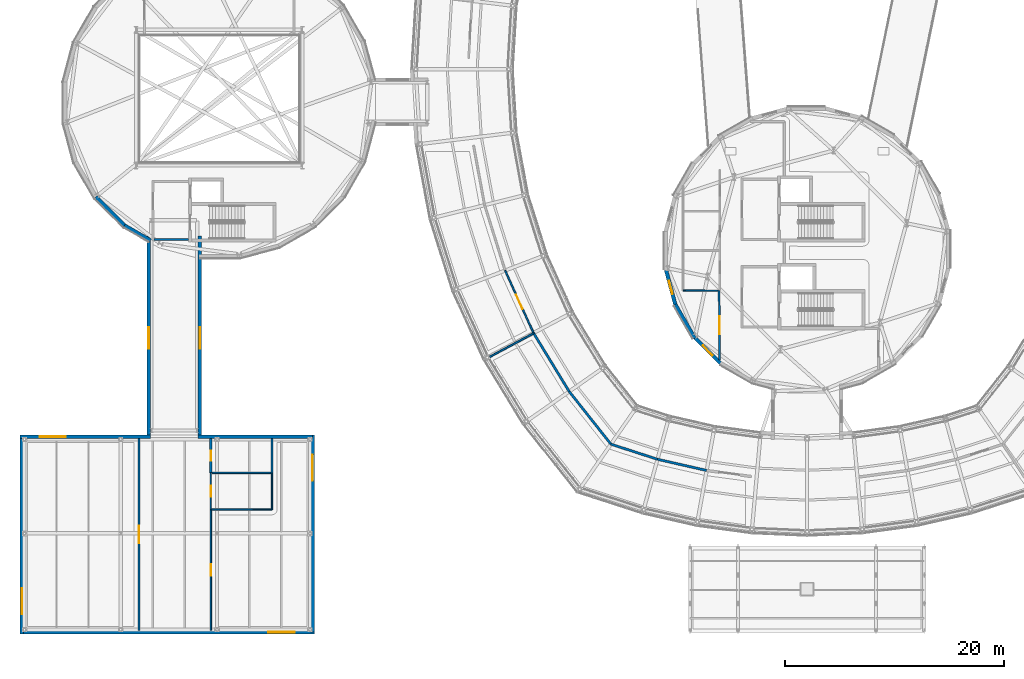
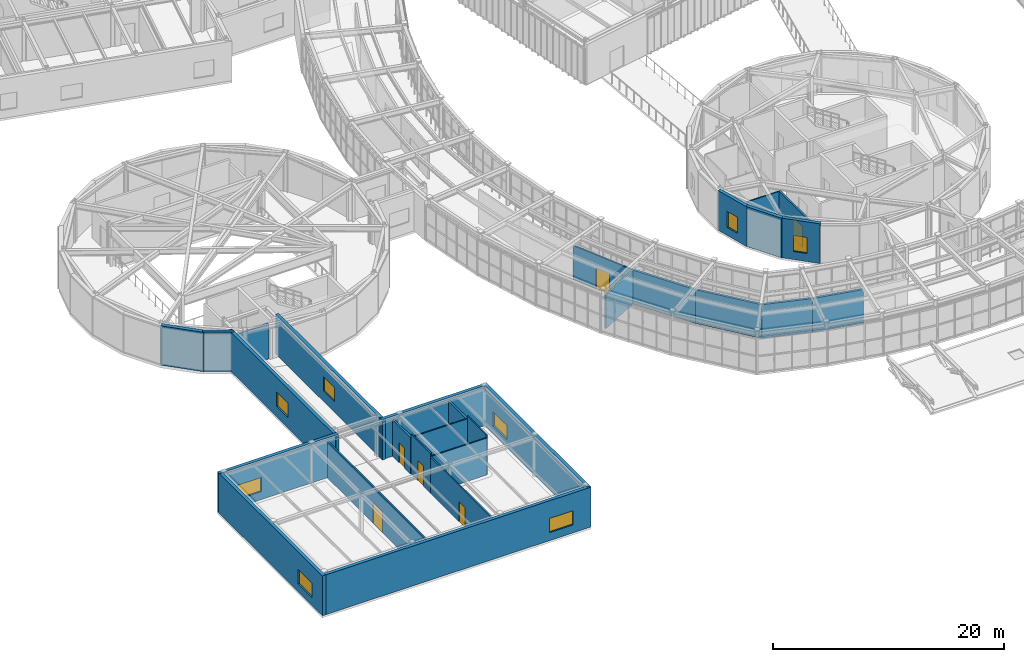
# One storey, part 74 of 103: 29 walls, 8 windows, 6 doors, 14 openings.
"""IFC4 building model written with IfcOpenShell, lengths in metres."""

from ifc_helpers import new_model, si_unit, direction, frame, frame_2d, origin, place, context, subcontext, project, spatial, rectangle, extrude, material, layer, layer_set, type_object, element, fill, save


model = new_model("IFC4")

# Units and contexts
model_context = context("Model", 3, precision=1e-05, world=origin(), true_north=direction((0.0, 1.0)))
body_context = subcontext(model_context, "Body", "Model", "MODEL_VIEW")
ifc_project = project(units=[si_unit("LENGTHUNIT", "METRE"), si_unit("AREAUNIT", "SQUARE_METRE"), si_unit("VOLUMEUNIT", "CUBIC_METRE"), si_unit("PLANEANGLEUNIT", "RADIAN"), si_unit("MASSUNIT", "GRAM", prefix="KILO")], contexts=[model_context])

# Site, building, storey
site_placement = place(None, origin())
site = spatial("IfcSite", under=ifc_project, at=site_placement, CompositionType="ELEMENT")
building_placement = place(site_placement, origin())
building = spatial("IfcBuilding", under=site, at=building_placement, Name="Varnklinge Art Gallery", CompositionType="ELEMENT")
storey_placement = place(building_placement, frame((0.0, 0.0, 5.10009765625)))
storey = spatial("IfcBuildingStorey", under=building, at=storey_placement, Name="L01", CompositionType="ELEMENT", Elevation=5.10009765625)

# Wall, opening, window
ifc_material_1 = material(Name="Precast concrete C40/50", Category="concrete")
ifc_layer_1 = layer(ifc_material_1, 0.320068359375)
ifc_layer_set_1 = layer_set([ifc_layer_1], Name="Precast concrete C40/50")
wall_type_1 = type_object("IfcWallType", Name="EW-32", PredefinedType="SOLIDWALL", material=ifc_layer_set_1)
wall_1_placement = place(storey_placement, frame((15.360107421875, 21.179931640625, 0.0), z_axis=(0.0, 0.0, 1.0), x_axis=(0.0, 1.0, 0.0)))
wall_1 = element("IfcWall", 1, at=wall_1_placement, inside=storey, type_object=wall_type_1, Name="L01 Gallery Link Wall EW-LNK-SW-L01-W", PredefinedType="SOLIDWALL", context=body_context, shape_type="SweptSolid", body=[
    extrude(rectangle(XDim=18.565185546875, YDim=0.320068359375, at=frame_2d((9.28271484375, 0.0))), origin(), (0.0, 0.0, 1.0), 4.169921875),
])
opening_1_placement = place(wall_1_placement, frame((8.3076171875, 0.0, 1.1201171875)))
opening_1 = element("IfcOpeningElement", 2, at=opening_1_placement, cuts=wall_1, Name="Opening WN-05", PredefinedType="OPENING", context=body_context, shape_type="SweptSolid", body=[
    extrude(rectangle(XDim=1.949951171875, YDim=1.5, at=frame_2d((0.97509765625, 0.75))), frame((0.0, 0.170166015625, 0.0), z_axis=(0.0, -1.0, 0.0), x_axis=(1.0, 0.0, 0.0)), (0.0, 0.0, 1.0), 0.340087890625),
])
ifc_material_2 = material(Name="Insulated Low-E Triple Glazing", Category="glass")
window_type_1 = type_object("IfcWindowType", Name="WN-05", PartitioningType="SINGLE_PANEL", PredefinedType="WINDOW", material=ifc_material_2)
window_1_placement = place(opening_1_placement, origin())
window_1 = element("IfcWindow", 3, at=window_1_placement, inside=storey, type_object=window_type_1, Name="L01 Window WIN-L01-239", OverallHeight=1.5, OverallWidth=1.949951171875, PartitioningType="SINGLE_PANEL", PredefinedType="WINDOW", context=body_context, shape_type="SweptSolid", body=[
    extrude(rectangle(XDim=1.949951171875, YDim=1.5, at=frame_2d((0.97509765625, 0.75))), frame((0.0, 0.030029296875, 0.0), z_axis=(0.0, -1.0, 0.0), x_axis=(1.0, 0.0, 0.0)), (0.0, 0.0, 1.0), 0.06005859375),
])
fill(opening_1, window_1)

wall_2_placement = place(storey_placement, frame((20.0400390625, 39.7451171875, 0.0), z_axis=(0.0, 0.0, 1.0), x_axis=(0.0, -1.0, 0.0)))
wall_2 = element("IfcWall", 4, at=wall_2_placement, inside=storey, type_object=wall_type_1, Name="L01 Gallery Link Wall EW-LNK-SW-L01-E", PredefinedType="SOLIDWALL", context=body_context, shape_type="SweptSolid", body=[
    extrude(rectangle(XDim=18.565185546875, YDim=0.320068359375, at=frame_2d((9.28271484375, 0.0))), origin(), (0.0, 0.0, 1.0), 4.169921875),
])
opening_2_placement = place(wall_2_placement, frame((8.3076171875, 0.0, 1.1201171875)))
opening_2 = element("IfcOpeningElement", 5, at=opening_2_placement, cuts=wall_2, Name="Opening WN-05", PredefinedType="OPENING", context=body_context, shape_type="SweptSolid", body=[
    extrude(rectangle(XDim=1.949951171875, YDim=1.5, at=frame_2d((0.97509765625, 0.75))), frame((0.0, 0.170166015625, 0.0), z_axis=(0.0, -1.0, 0.0), x_axis=(1.0, 0.0, 0.0)), (0.0, 0.0, 1.0), 0.340087890625),
])
window_2_placement = place(opening_2_placement, origin())
window_2 = element("IfcWindow", 6, at=window_2_placement, inside=storey, type_object=window_type_1, Name="L01 Window WIN-L01-240", OverallHeight=1.5, OverallWidth=1.949951171875, PartitioningType="SINGLE_PANEL", PredefinedType="WINDOW", context=body_context, shape_type="SweptSolid", body=[
    extrude(rectangle(XDim=1.949951171875, YDim=1.5, at=frame_2d((0.97509765625, 0.75))), frame((0.0, 0.030029296875, 0.0), z_axis=(0.0, -1.0, 0.0), x_axis=(1.0, 0.0, 0.0)), (0.0, 0.0, 1.0), 0.06005859375),
])
fill(opening_2, window_2)

ifc_material_3 = material(Name="Precast concrete C40/50", Category="concrete")
ifc_layer_2 = layer(ifc_material_3, 0.340087890625)
ifc_layer_set_2 = layer_set([ifc_layer_2], Name="Precast concrete C40/50")
wall_type_2 = type_object("IfcWallType", Name="EW-34", PredefinedType="SOLIDWALL", material=ifc_layer_set_2)
wall_3_placement = place(storey_placement, frame((67.68896484375, 28.04345703125, 0.0), z_axis=(0.0, 0.0, 1.0), x_axis=(-0.707106781187, 0.707106781187, 0.0)))
wall_3 = element("IfcWall", 7, at=wall_3_placement, inside=storey, type_object=wall_type_2, Name="L01 Exterior Wall EW-V4D-L01-09", PredefinedType="SOLIDWALL", context=body_context, shape_type="SweptSolid", body=[
    extrude(rectangle(XDim=3.571044921875, YDim=0.340087890625, at=frame_2d((1.78564453125, 0.0))), origin(), (0.0, 0.0, 1.0), 4.199951171875),
])
opening_3_placement = place(wall_3_placement, frame((1.16064453125, 0.0, 0.85009765625)))
opening_3 = element("IfcOpeningElement", 8, at=opening_3_placement, cuts=wall_3, Name="Opening WN-09", PredefinedType="OPENING", context=body_context, shape_type="SweptSolid", body=[
    extrude(rectangle(XDim=1.25, YDim=1.699951171875, at=frame_2d((0.625, 0.85009765625))), frame((0.0, 0.179931640625, 0.0), z_axis=(0.0, -1.0, 0.0), x_axis=(1.0, 0.0, 0.0)), (0.0, 0.0, 1.0), 0.360107421875),
])
ifc_material_4 = material(Name="Insulated Low-E Triple Glazing", Category="glass")
window_type_2 = type_object("IfcWindowType", Name="WN-09", PartitioningType="SINGLE_PANEL", PredefinedType="WINDOW", material=ifc_material_4)
window_3_placement = place(opening_3_placement, origin())
window_3 = element("IfcWindow", 9, at=window_3_placement, inside=storey, type_object=window_type_2, Name="L01 Window WIN-L01-078", OverallHeight=1.699951171875, OverallWidth=1.25, PartitioningType="SINGLE_PANEL", PredefinedType="WINDOW", context=body_context, shape_type="SweptSolid", body=[
    extrude(rectangle(XDim=1.25, YDim=1.699951171875, at=frame_2d((0.625, 0.85009765625))), frame((0.0, 0.030029296875, 0.0), z_axis=(0.0, -1.0, 0.0), x_axis=(1.0, 0.0, 0.0)), (0.0, 0.0, 1.0), 0.06005859375),
])
fill(opening_3, window_3)

# Wall
wall_4_placement = place(storey_placement, frame((65.248779296875, 30.42138671875, 0.0), z_axis=(0.0, 0.0, 1.0), x_axis=(-0.500006500783, 0.866021650523, 0.0)))
element("IfcWall", 10, at=wall_4_placement, inside=storey, type_object=wall_type_2, Name="L01 Exterior Wall EW-V4D-L01-10", PredefinedType="SOLIDWALL", context=body_context, shape_type="SweptSolid", body=[
    extrude(rectangle(XDim=3.5712890625, YDim=0.340087890625, at=frame_2d((1.78564453125, 0.0))), origin(), (0.0, 0.0, 1.0), 4.199951171875),
])

# Wall, opening, window
wall_5_placement = place(storey_placement, frame((63.507080078125, 33.35009765625, 0.0), z_axis=(0.0, 0.0, 1.0), x_axis=(-0.258764562387, 0.965940423242, 0.0)))
wall_5 = element("IfcWall", 11, at=wall_5_placement, inside=storey, type_object=wall_type_2, Name="L01 Exterior Wall EW-V4D-L01-11", PredefinedType="SOLIDWALL", context=body_context, shape_type="SweptSolid", body=[
    extrude(rectangle(XDim=3.571044921875, YDim=0.340087890625, at=frame_2d((1.78564453125, 0.0))), origin(), (0.0, 0.0, 1.0), 4.199951171875),
])
opening_4_placement = place(wall_5_placement, frame((1.16064453125, 0.0, 0.85009765625)))
opening_4 = element("IfcOpeningElement", 12, at=opening_4_placement, cuts=wall_5, Name="Opening WN-09", PredefinedType="OPENING", context=body_context, shape_type="SweptSolid", body=[
    extrude(rectangle(XDim=1.25, YDim=1.699951171875, at=frame_2d((0.625, 0.85009765625))), frame((0.0, 0.179931640625, 0.0), z_axis=(0.0, -1.0, 0.0), x_axis=(1.0, 0.0, 0.0)), (0.0, 0.0, 1.0), 0.360107421875),
])
window_4_placement = place(opening_4_placement, origin())
window_4 = element("IfcWindow", 13, at=window_4_placement, inside=storey, type_object=window_type_2, Name="L01 Window WIN-L01-079", OverallHeight=1.699951171875, OverallWidth=1.25, PartitioningType="SINGLE_PANEL", PredefinedType="WINDOW", context=body_context, shape_type="SweptSolid", body=[
    extrude(rectangle(XDim=1.25, YDim=1.699951171875, at=frame_2d((0.625, 0.85009765625))), frame((0.0, 0.030029296875, 0.0), z_axis=(0.0, -1.0, 0.0), x_axis=(1.0, 0.0, 0.0)), (0.0, 0.0, 1.0), 0.06005859375),
])
fill(opening_4, window_4)

wall_6_placement = place(storey_placement, frame((3.77001953125, 3.39990234375, 0.0), z_axis=(0.0, 0.0, 1.0), x_axis=(0.0, 1.0, 0.0)))
wall_6 = element("IfcWall", 14, at=wall_6_placement, inside=storey, type_object=wall_type_2, Name="L01 Exterior Wall EW-V6SW-L01-01", PredefinedType="SOLIDWALL", context=body_context, shape_type="SweptSolid", body=[
    extrude(rectangle(XDim=18.030029296875, YDim=0.340087890625, at=frame_2d((9.01513671875, 0.0))), origin(), (0.0, 0.0, 1.0), 4.219970703125),
])
opening_5_placement = place(wall_6_placement, frame((1.800048828125, 0.0, 0.85009765625)))
opening_5 = element("IfcOpeningElement", 15, at=opening_5_placement, cuts=wall_6, Name="Opening WN-07", PredefinedType="OPENING", context=body_context, shape_type="SweptSolid", body=[
    extrude(rectangle(XDim=2.39990234375, YDim=1.5, at=frame_2d((1.199951171875, 0.75))), frame((0.0, 0.179931640625, 0.0), z_axis=(0.0, -1.0, 0.0), x_axis=(1.0, 0.0, 0.0)), (0.0, 0.0, 1.0), 0.360107421875),
])
ifc_material_5 = material(Name="Insulated Low-E Triple Glazing", Category="glass")
window_type_3 = type_object("IfcWindowType", Name="WN-07", PartitioningType="SINGLE_PANEL", PredefinedType="WINDOW", material=ifc_material_5)
window_5_placement = place(opening_5_placement, origin())
window_5 = element("IfcWindow", 16, at=window_5_placement, inside=storey, type_object=window_type_3, Name="L01 Window WIN-L01-206", OverallHeight=1.5, OverallWidth=2.39990234375, PartitioningType="SINGLE_PANEL", PredefinedType="WINDOW", context=body_context, shape_type="SweptSolid", body=[
    extrude(rectangle(XDim=2.39990234375, YDim=1.5, at=frame_2d((1.199951171875, 0.75))), frame((0.0, 0.030029296875, 0.0), z_axis=(0.0, -1.0, 0.0), x_axis=(1.0, 0.0, 0.0)), (0.0, 0.0, 1.0), 0.06005859375),
])
fill(opening_5, window_5)

wall_7_placement = place(storey_placement, frame((3.60009765625, 21.429931640625, 0.0), z_axis=(0.0, 0.0, 1.0), x_axis=(1.0, 0.0, 0.0)))
wall_7 = element("IfcWall", 17, at=wall_7_placement, inside=storey, type_object=wall_type_2, Name="L01 Exterior Wall EW-V6SW-L01-02", PredefinedType="SOLIDWALL", context=body_context, shape_type="SweptSolid", body=[
    extrude(rectangle(XDim=11.919921875, YDim=0.340087890625, at=frame_2d((5.9599609375, 0.0))), origin(), (0.0, 0.0, 1.0), 4.219970703125),
])
opening_6_placement = place(wall_7_placement, frame((1.800048828125, 0.0, 0.85009765625)))
opening_6 = element("IfcOpeningElement", 18, at=opening_6_placement, cuts=wall_7, Name="Opening WN-07", PredefinedType="OPENING", context=body_context, shape_type="SweptSolid", body=[
    extrude(rectangle(XDim=2.39990234375, YDim=1.5, at=frame_2d((1.199951171875, 0.75))), frame((0.0, 0.179931640625, 0.0), z_axis=(0.0, -1.0, 0.0), x_axis=(1.0, 0.0, 0.0)), (0.0, 0.0, 1.0), 0.360107421875),
])
window_6_placement = place(opening_6_placement, origin())
window_6 = element("IfcWindow", 19, at=window_6_placement, inside=storey, type_object=window_type_3, Name="L01 Window WIN-L01-207", OverallHeight=1.5, OverallWidth=2.39990234375, PartitioningType="SINGLE_PANEL", PredefinedType="WINDOW", context=body_context, shape_type="SweptSolid", body=[
    extrude(rectangle(XDim=2.39990234375, YDim=1.5, at=frame_2d((1.199951171875, 0.75))), frame((0.0, 0.030029296875, 0.0), z_axis=(0.0, -1.0, 0.0), x_axis=(1.0, 0.0, 0.0)), (0.0, 0.0, 1.0), 0.06005859375),
])
fill(opening_6, window_6)

# Wall
wall_8_placement = place(storey_placement, frame((19.8798828125, 21.429931640625, 0.0), z_axis=(0.0, 0.0, 1.0), x_axis=(1.0, 0.0, 0.0)))
element("IfcWall", 20, at=wall_8_placement, inside=storey, type_object=wall_type_2, Name="L01 Exterior Wall EW-V6SW-L01-03", PredefinedType="SOLIDWALL", context=body_context, shape_type="SweptSolid", body=[
    extrude(rectangle(XDim=10.4501953125, YDim=0.340087890625, at=frame_2d((5.22509765625, 0.0))), origin(), (0.0, 0.0, 1.0), 4.219970703125),
])

# Wall, opening, window
wall_9_placement = place(storey_placement, frame((30.330078125, 21.60009765625, 0.0), z_axis=(0.0, 0.0, 1.0), x_axis=(0.0, -1.0, 0.0)))
wall_9 = element("IfcWall", 21, at=wall_9_placement, inside=storey, type_object=wall_type_2, Name="L01 Exterior Wall EW-V6SW-L01-04", PredefinedType="SOLIDWALL", context=body_context, shape_type="SweptSolid", body=[
    extrude(rectangle(XDim=18.030029296875, YDim=0.340087890625, at=frame_2d((9.01513671875, 0.0))), origin(), (0.0, 0.0, 1.0), 4.219970703125),
])
opening_7_placement = place(wall_9_placement, frame((1.800048828125, 0.0, 0.85009765625)))
opening_7 = element("IfcOpeningElement", 22, at=opening_7_placement, cuts=wall_9, Name="Opening WN-07", PredefinedType="OPENING", context=body_context, shape_type="SweptSolid", body=[
    extrude(rectangle(XDim=2.39990234375, YDim=1.5, at=frame_2d((1.199951171875, 0.75))), frame((0.0, 0.179931640625, 0.0), z_axis=(0.0, -1.0, 0.0), x_axis=(1.0, 0.0, 0.0)), (0.0, 0.0, 1.0), 0.360107421875),
])
window_7_placement = place(opening_7_placement, origin())
window_7 = element("IfcWindow", 23, at=window_7_placement, inside=storey, type_object=window_type_3, Name="L01 Window WIN-L01-208", OverallHeight=1.5, OverallWidth=2.39990234375, PartitioningType="SINGLE_PANEL", PredefinedType="WINDOW", context=body_context, shape_type="SweptSolid", body=[
    extrude(rectangle(XDim=2.39990234375, YDim=1.5, at=frame_2d((1.199951171875, 0.75))), frame((0.0, 0.030029296875, 0.0), z_axis=(0.0, -1.0, 0.0), x_axis=(1.0, 0.0, 0.0)), (0.0, 0.0, 1.0), 0.06005859375),
])
fill(opening_7, window_7)

wall_10_placement = place(storey_placement, frame((30.5, 3.570068359375, 0.0), z_axis=(0.0, 0.0, 1.0), x_axis=(-1.0, 0.0, 0.0)))
wall_10 = element("IfcWall", 24, at=wall_10_placement, inside=storey, type_object=wall_type_2, Name="L01 Exterior Wall EW-V6SW-L01-05", PredefinedType="SOLIDWALL", context=body_context, shape_type="SweptSolid", body=[
    extrude(rectangle(XDim=26.72998046875, YDim=0.340087890625, at=frame_2d((13.364990234375, 0.0))), origin(), (0.0, 0.0, 1.0), 4.219970703125),
])
opening_8_placement = place(wall_10_placement, frame((1.800048828125, 0.0, 0.85009765625)))
opening_8 = element("IfcOpeningElement", 25, at=opening_8_placement, cuts=wall_10, Name="Opening WN-07", PredefinedType="OPENING", context=body_context, shape_type="SweptSolid", body=[
    extrude(rectangle(XDim=2.39990234375, YDim=1.5, at=frame_2d((1.199951171875, 0.75))), frame((0.0, 0.179931640625, 0.0), z_axis=(0.0, -1.0, 0.0), x_axis=(1.0, 0.0, 0.0)), (0.0, 0.0, 1.0), 0.360107421875),
])
window_8_placement = place(opening_8_placement, origin())
window_8 = element("IfcWindow", 26, at=window_8_placement, inside=storey, type_object=window_type_3, Name="L01 Window WIN-L01-209", OverallHeight=1.5, OverallWidth=2.39990234375, PartitioningType="SINGLE_PANEL", PredefinedType="WINDOW", context=body_context, shape_type="SweptSolid", body=[
    extrude(rectangle(XDim=2.39990234375, YDim=1.5, at=frame_2d((1.199951171875, 0.75))), frame((0.0, 0.030029296875, 0.0), z_axis=(0.0, -1.0, 0.0), x_axis=(1.0, 0.0, 0.0)), (0.0, 0.0, 1.0), 0.06005859375),
])
fill(opening_8, window_8)

# Walls
ifc_material_6 = material(Name="Concrete C40/50", Category="concrete")
ifc_layer_3 = layer(ifc_material_6, 0.360107421875)
ifc_layer_set_3 = layer_set([ifc_layer_3], Name="Concrete C40/50")
wall_type_3 = type_object("IfcWallType", Name="EW-36", PredefinedType="SOLIDWALL", material=ifc_layer_set_3)
wall_11_placement = place(storey_placement, frame((15.52001953125, 39.34814453125, 0.0), z_axis=(0.0, 0.0, 1.0), x_axis=(-0.866032936488, 0.499986952748, 0.0)))
element("IfcWall", 27, at=wall_11_placement, inside=storey, type_object=wall_type_3, Name="L01 Exterior Wall EW-V3-L01-07", PredefinedType="SOLIDWALL", context=body_context, shape_type="SweptSolid", body=[
    extrude(rectangle(XDim=2.7431640625, YDim=0.360107421875, at=frame_2d((1.37158203125, 0.0))), origin(), (0.0, 0.0, 1.0), 4.169921875),
])
wall_12_placement = place(storey_placement, frame((13.271484375, 40.59228515625, 0.0), z_axis=(0.0, 0.0, 1.0), x_axis=(-0.707075413469, 0.707138147513, 0.0)))
element("IfcWall", 28, at=wall_12_placement, inside=storey, type_object=wall_type_3, Name="L01 Exterior Wall EW-V3-L01-08", PredefinedType="SOLIDWALL", context=body_context, shape_type="SweptSolid", body=[
    extrude(rectangle(XDim=3.8916015625, YDim=0.360107421875, at=frame_2d((1.94580078125, 0.0))), origin(), (0.0, 0.0, 1.0), 4.169921875),
])

# Wall, opening, door
ifc_material_7 = material(Name="Gypsum Board Partition", Category="gypsum")
ifc_layer_4 = layer(ifc_material_7, 0.1201171875)
ifc_layer_set_4 = layer_set([ifc_layer_4], Name="Gypsum Board Partition")
wall_type_4 = type_object("IfcWallType", Name="IW-12", PredefinedType="PARTITIONING", material=ifc_layer_set_4)
wall_13_placement = place(storey_placement, frame((21.030029296875, 18.1298828125, 0.0), z_axis=(0.0, 0.0, 1.0), x_axis=(0.0, -1.0, 0.0)))
wall_13 = element("IfcWall", 29, at=wall_13_placement, inside=storey, type_object=wall_type_4, Name="L01 Partition Wall IW-L01-0235", PredefinedType="PARTITIONING", context=body_context, shape_type="SweptSolid", body=[
    extrude(rectangle(XDim=3.35986328125, YDim=0.1201171875, at=frame_2d((1.679931640625, 0.0))), origin(), (0.0, 0.0, 1.0), 4.2099609375),
])
opening_9_placement = place(wall_13_placement, frame((1.169921875, 0.0, 0.0)))
opening_9 = element("IfcOpeningElement", 30, at=opening_9_placement, cuts=wall_13, Name="Opening D-L01-216", PredefinedType="OPENING", context=body_context, shape_type="SweptSolid", body=[
    extrude(rectangle(XDim=1.02001953125, YDim=2.1201171875, at=frame_2d((0.510009765625, 1.06005859375))), frame((0.0, 0.070068359375, 0.0), z_axis=(0.0, -1.0, 0.0), x_axis=(1.0, 0.0, 0.0)), (0.0, 0.0, 1.0), 0.14013671875),
])
ifc_material_8 = material(Name="Oak Timber Leaf", Category="wood")
door_type_1 = type_object("IfcDoorType", Name="ID-03", OperationType="SINGLE_SWING_LEFT", PredefinedType="DOOR", material=ifc_material_8)
door_1_placement = place(opening_9_placement, origin())
door_1 = element("IfcDoor", 31, at=door_1_placement, inside=storey, type_object=door_type_1, Name="L01 L01 Accessible WC Pavilion Door D-L01-216", OperationType="SINGLE_SWING_RIGHT", OverallHeight=2.1201171875, OverallWidth=1.02001953125, PredefinedType="DOOR", context=body_context, shape_type="SweptSolid", body=[
    extrude(rectangle(XDim=1.02001953125, YDim=2.1201171875, at=frame_2d((0.510009765625, 1.06005859375))), frame((0.0, 0.02490234375, 0.0), z_axis=(0.0, -1.0, 0.0), x_axis=(1.0, 0.0, 0.0)), (0.0, 0.0, 1.0), 0.050048828125),
])
fill(opening_9, door_1)

# Walls
wall_14_placement = place(storey_placement, frame((67.365234375, 34.77001953125, 0.0), z_axis=(0.0, 0.0, 1.0), x_axis=(-0.999994063851, 0.003445615075, 0.0)))
element("IfcWall", 32, at=wall_14_placement, inside=storey, type_object=wall_type_4, Name="L01 Partition Wall IW-L01-0248", PredefinedType="PARTITIONING", context=body_context, shape_type="SweptSolid", body=[
    extrude(rectangle(XDim=3.1884765625, YDim=0.1201171875, at=frame_2d((1.59423828125, 0.0))), origin(), (0.0, 0.0, 1.0), 3.58984375),
])
wall_15_placement = place(storey_placement, frame((21.14501953125, 18.1298828125, 0.0), z_axis=(0.0, 0.0, 1.0), x_axis=(1.0, 0.0, 0.0)))
element("IfcWall", 33, at=wall_15_placement, inside=storey, type_object=wall_type_4, Name="L01 Partition Wall IW-L01-0259", PredefinedType="PARTITIONING", context=body_context, shape_type="SweptSolid", body=[
    extrude(rectangle(XDim=5.455078125, YDim=0.1201171875, at=frame_2d((2.7275390625, 0.0))), origin(), (0.0, 0.0, 1.0), 3.909912109375),
])
wall_16_placement = place(storey_placement, frame((26.6298828125, 18.10009765625, 0.0), z_axis=(0.0, 0.0, 1.0), x_axis=(-0.003965017661, -0.999992139287, 0.0)))
element("IfcWall", 34, at=wall_16_placement, inside=storey, type_object=wall_type_4, Name="L01 Partition Wall IW-L01-0260", PredefinedType="PARTITIONING", context=body_context, shape_type="SweptSolid", body=[
    extrude(rectangle(XDim=3.324951171875, YDim=0.1201171875, at=frame_2d((1.66259765625, 0.0))), origin(), (0.0, 0.0, 1.0), 4.2099609375),
])
wall_17_placement = place(storey_placement, frame((26.61669921875, 14.775146484375, 0.0), z_axis=(0.0, 0.0, 1.0), x_axis=(-0.999999567372, -0.000930190951, 0.0)))
element("IfcWall", 35, at=wall_17_placement, inside=storey, type_object=wall_type_4, Name="L01 Partition Wall IW-L01-0261", PredefinedType="PARTITIONING", context=body_context, shape_type="SweptSolid", body=[
    extrude(rectangle(XDim=5.51171875, YDim=0.1201171875, at=frame_2d((2.755859375, 0.0))), origin(), (0.0, 0.0, 1.0), 3.909912109375),
])

# Wall, opening, door
ifc_material_9 = material(Name="Gypsum Board Partition", Category="gypsum")
ifc_layer_5 = layer(ifc_material_9, 0.139892578125)
ifc_layer_set_5 = layer_set([ifc_layer_5], Name="Gypsum Board Partition")
wall_type_5 = type_object("IfcWallType", Name="IW-14", PredefinedType="PARTITIONING", material=ifc_layer_set_5)
wall_18_placement = place(storey_placement, frame((21.030029296875, 14.77001953125, 0.0), z_axis=(0.0, 0.0, 1.0), x_axis=(0.0, -1.0, 0.0)))
wall_18 = element("IfcWall", 36, at=wall_18_placement, inside=storey, type_object=wall_type_5, Name="L01 Partition Wall IW-L01-0237", PredefinedType="PARTITIONING", context=body_context, shape_type="SweptSolid", body=[
    extrude(rectangle(XDim=11.026123046875, YDim=0.139892578125, at=frame_2d((5.51318359375, 0.0))), origin(), (0.0, 0.0, 1.0), 3.849853515625),
])
opening_10_placement = place(wall_18_placement, frame((4.972900390625, 0.0, 0.0)))
opening_10 = element("IfcOpeningElement", 37, at=opening_10_placement, cuts=wall_18, Name="Opening D-L01-218", PredefinedType="OPENING", context=body_context, shape_type="SweptSolid", body=[
    extrude(rectangle(XDim=1.080078125, YDim=2.1201171875, at=frame_2d((0.5400390625, 1.06005859375))), frame((0.0, 0.079833984375, 0.0), z_axis=(0.0, -1.0, 0.0), x_axis=(1.0, 0.0, 0.0)), (0.0, 0.0, 1.0), 0.159912109375),
])
ifc_material_10 = material(Name="Oak Timber Leaf", Category="wood")
door_type_2 = type_object("IfcDoorType", Name="ID-04", OperationType="SINGLE_SWING_RIGHT", PredefinedType="DOOR", material=ifc_material_10)
door_2_placement = place(opening_10_placement, origin())
door_2 = element("IfcDoor", 38, at=door_2_placement, inside=storey, type_object=door_type_2, Name="L01 L01 Education Seminar Room Door D-L01-218", OperationType="SINGLE_SWING_RIGHT", OverallHeight=2.1201171875, OverallWidth=1.080078125, PredefinedType="DOOR", context=body_context, shape_type="SweptSolid", body=[
    extrude(rectangle(XDim=1.080078125, YDim=2.1201171875, at=frame_2d((0.5400390625, 1.06005859375))), frame((0.0, 0.02490234375, 0.0), z_axis=(0.0, -1.0, 0.0), x_axis=(1.0, 0.0, 0.0)), (0.0, 0.0, 1.0), 0.050048828125),
])
fill(opening_10, door_2)

ifc_material_11 = material(Name="Gypsum Board Partition", Category="gypsum")
ifc_layer_6 = layer(ifc_material_11, 0.14990234375)
ifc_layer_set_6 = layer_set([ifc_layer_6], Name="Gypsum Board Partition")
wall_type_6 = type_object("IfcWallType", Name="IW-15", PredefinedType="PARTITIONING", material=ifc_layer_set_6)
wall_19_placement = place(storey_placement, frame((50.52490234375, 30.88134765625, 0.0), z_axis=(0.0, 0.0, 1.0), x_axis=(-0.413902273879, 0.910321321116, 0.0)))
wall_19 = element("IfcWall", 39, at=wall_19_placement, inside=storey, type_object=wall_type_6, Name="L01 Partition Wall IW-L01-0191", PredefinedType="PARTITIONING", context=body_context, shape_type="SweptSolid", body=[
    extrude(rectangle(XDim=6.296142578125, YDim=0.14990234375, at=frame_2d((3.14794921875, 0.0))), origin(), (0.0, 0.0, 1.0), 3.56982421875),
])
opening_11_placement = place(wall_19_placement, frame((2.43798828125, 0.0, 0.0)))
opening_11 = element("IfcOpeningElement", 40, at=opening_11_placement, cuts=wall_19, Name="Opening D-L01-192", PredefinedType="OPENING", context=body_context, shape_type="SweptSolid", body=[
    extrude(rectangle(XDim=1.419921875, YDim=2.179931640625, at=frame_2d((0.7099609375, 1.08984375))), frame((0.0, 0.0849609375, 0.0), z_axis=(0.0, -1.0, 0.0), x_axis=(1.0, 0.0, 0.0)), (0.0, 0.0, 1.0), 0.169921875),
])
ifc_material_12 = material(Name="Oak Timber Leaf", Category="wood")
door_type_3 = type_object("IfcDoorType", Name="ID-07", OperationType="DOUBLE_DOOR_SINGLE_SWING", PredefinedType="DOOR", material=ifc_material_12)
door_3_placement = place(opening_11_placement, origin())
door_3 = element("IfcDoor", 41, at=door_3_placement, inside=storey, type_object=door_type_3, Name="L01 L01 Upper Southwest Reading Lounge Door D-L01-192", OperationType="DOUBLE_DOOR_SINGLE_SWING", OverallHeight=2.179931640625, OverallWidth=1.419921875, PredefinedType="DOOR", context=body_context, shape_type="SweptSolid", body=[
    extrude(rectangle(XDim=1.419921875, YDim=2.179931640625, at=frame_2d((0.7099609375, 1.08984375))), frame((0.0, 0.02490234375, 0.0), z_axis=(0.0, -1.0, 0.0), x_axis=(1.0, 0.0, 0.0)), (0.0, 0.0, 1.0), 0.050048828125),
])
fill(opening_11, door_3)

wall_20_placement = place(storey_placement, frame((14.469970703125, 3.743896484375, 0.0), z_axis=(0.0, 0.0, 1.0), x_axis=(0.0, 1.0, 0.0)))
wall_20 = element("IfcWall", 42, at=wall_20_placement, inside=storey, type_object=wall_type_6, Name="L01 Partition Wall IW-L01-0234", PredefinedType="PARTITIONING", context=body_context, shape_type="SweptSolid", body=[
    extrude(rectangle(XDim=17.51220703125, YDim=0.14990234375, at=frame_2d((8.756103515625, 0.0))), origin(), (0.0, 0.0, 1.0), 3.849853515625),
])
opening_12_placement = place(wall_20_placement, frame((7.93603515625, 0.0, 0.0)))
opening_12 = element("IfcOpeningElement", 43, at=opening_12_placement, cuts=wall_20, Name="Opening D-L01-215", PredefinedType="OPENING", context=body_context, shape_type="SweptSolid", body=[
    extrude(rectangle(XDim=1.639892578125, YDim=2.199951171875, at=frame_2d((0.81982421875, 1.10009765625))), frame((0.0, 0.0849609375, 0.0), z_axis=(0.0, -1.0, 0.0), x_axis=(1.0, 0.0, 0.0)), (0.0, 0.0, 1.0), 0.169921875),
])
ifc_material_13 = material(Name="Oak Timber Leaf", Category="wood")
door_type_4 = type_object("IfcDoorType", Name="ID-08", OperationType="DOUBLE_DOOR_SINGLE_SWING", PredefinedType="DOOR", material=ifc_material_13)
door_4_placement = place(opening_12_placement, origin())
door_4 = element("IfcDoor", 44, at=door_4_placement, inside=storey, type_object=door_type_4, Name="L01 L01 Design and Art Periodicals Salon Door D-L01-215", OperationType="DOUBLE_DOOR_SINGLE_SWING", OverallHeight=2.199951171875, OverallWidth=1.639892578125, PredefinedType="DOOR", context=body_context, shape_type="SweptSolid", body=[
    extrude(rectangle(XDim=1.639892578125, YDim=2.199951171875, at=frame_2d((0.81982421875, 1.10009765625))), frame((0.0, 0.02490234375, 0.0), z_axis=(0.0, -1.0, 0.0), x_axis=(1.0, 0.0, 0.0)), (0.0, 0.0, 1.0), 0.050048828125),
])
fill(opening_12, door_4)

# Wall
wall_21_placement = place(storey_placement, frame((50.5244140625, 30.881103515625, 0.0), z_axis=(0.0, 0.0, 1.0), x_axis=(-0.880691517808, -0.473690247379, 0.0)))
element("IfcWall", 45, at=wall_21_placement, inside=storey, type_object=wall_type_6, Name="L01 Partition Wall IW-L01-0246", PredefinedType="PARTITIONING", context=body_context, shape_type="SweptSolid", body=[
    extrude(rectangle(XDim=4.550537109375, YDim=0.14990234375, at=frame_2d((2.275390625, 0.0))), origin(), (0.0, 0.0, 1.0), 3.56982421875),
])

# Wall, opening, door
ifc_material_14 = material(Name="Gypsum Board Partition", Category="gypsum")
ifc_layer_7 = layer(ifc_material_14, 0.179931640625)
ifc_layer_set_7 = layer_set([ifc_layer_7], Name="Gypsum Board Partition")
wall_type_7 = type_object("IfcWallType", Name="IW-18", PredefinedType="PARTITIONING", material=ifc_layer_set_7)
wall_22_placement = place(storey_placement, frame((67.52099609375, 28.45751953125, 0.0), z_axis=(0.0, 0.0, 1.0), x_axis=(-0.008044699063, 0.999967640885, 0.0)))
wall_22 = element("IfcWall", 46, at=wall_22_placement, inside=storey, type_object=wall_type_7, Name="L01 Partition Wall IW-L01-0215", PredefinedType="PARTITIONING", context=body_context, shape_type="SweptSolid", body=[
    extrude(rectangle(XDim=6.3427734375, YDim=0.179931640625, at=frame_2d((3.17138671875, 0.0))), origin(), (0.0, 0.0, 1.0), 3.58984375),
])
opening_13_placement = place(wall_22_placement, frame((2.351318359375, 0.0, 0.0)))
opening_13 = element("IfcOpeningElement", 47, at=opening_13_placement, cuts=wall_22, Name="Opening D-L01-202", PredefinedType="OPENING", context=body_context, shape_type="SweptSolid", body=[
    extrude(rectangle(XDim=1.639892578125, YDim=2.199951171875, at=frame_2d((0.81982421875, 1.10009765625))), frame((0.0, 0.099853515625, 0.0), z_axis=(0.0, -1.0, 0.0), x_axis=(1.0, 0.0, 0.0)), (0.0, 0.0, 1.0), 0.199951171875),
])
door_5_placement = place(opening_13_placement, origin())
door_5 = element("IfcDoor", 48, at=door_5_placement, inside=storey, type_object=door_type_4, Name="L01 L01 Drum Kinetic Art Pavilion Gallery 2 Door D-L01-202", OperationType="DOUBLE_DOOR_SINGLE_SWING", OverallHeight=2.199951171875, OverallWidth=1.639892578125, PredefinedType="DOOR", context=body_context, shape_type="SweptSolid", body=[
    extrude(rectangle(XDim=1.639892578125, YDim=2.199951171875, at=frame_2d((0.81982421875, 1.10009765625))), frame((0.0, 0.02490234375, 0.0), z_axis=(0.0, -1.0, 0.0), x_axis=(1.0, 0.0, 0.0)), (0.0, 0.0, 1.0), 0.050048828125),
])
fill(opening_13, door_5)

# Wall
ifc_material_15 = material(Name="Concrete C40/50", Category="concrete")
ifc_layer_8 = layer(ifc_material_15, 0.199951171875)
ifc_layer_set_8 = layer_set([ifc_layer_8], Name="Concrete C40/50")
wall_type_8 = type_object("IfcWallType", Name="IW-20", PredefinedType="PARTITIONING", material=ifc_layer_set_8)
wall_23_placement = place(storey_placement, frame((15.85009765625, 39.449951171875, 0.0), z_axis=(0.0, 0.0, 1.0), x_axis=(1.0, 0.0, 0.0)))
element("IfcWall", 49, at=wall_23_placement, inside=storey, type_object=wall_type_8, Name="L01 Core C6 Lobby South Wall", PredefinedType="PARTITIONING", context=body_context, shape_type="SweptSolid", body=[
    extrude(rectangle(XDim=3.14990234375, YDim=0.199951171875, at=frame_2d((1.574951171875, 0.0))), origin(), (0.0, 0.0, 1.0), 3.7099609375),
])

# Wall, opening, door
wall_24_placement = place(storey_placement, frame((21.030029296875, 21.256103515625, 0.0), z_axis=(0.0, 0.0, 1.0), x_axis=(0.0, -1.0, 0.0)))
wall_24 = element("IfcWall", 50, at=wall_24_placement, inside=storey, type_object=wall_type_8, Name="L01 Partition Wall IW-L01-0236", PredefinedType="PARTITIONING", context=body_context, shape_type="SweptSolid", body=[
    extrude(rectangle(XDim=3.126220703125, YDim=0.199951171875, at=frame_2d((1.56298828125, 0.0))), origin(), (0.0, 0.0, 1.0), 3.849853515625),
])
opening_14_placement = place(wall_24_placement, frame((1.10302734375, 0.0, 0.0)))
opening_14 = element("IfcOpeningElement", 51, at=opening_14_placement, cuts=wall_24, Name="Opening D-L01-217", PredefinedType="OPENING", context=body_context, shape_type="SweptSolid", body=[
    extrude(rectangle(XDim=0.919921875, YDim=2.080078125, at=frame_2d((0.4599609375, 1.0400390625))), frame((0.0, 0.110107421875, 0.0), z_axis=(0.0, -1.0, 0.0), x_axis=(1.0, 0.0, 0.0)), (0.0, 0.0, 1.0), 0.219970703125),
])
ifc_material_16 = material(Name="Oak Timber Leaf", Category="wood")
door_type_5 = type_object("IfcDoorType", Name="ID-01", OperationType="SINGLE_SWING_LEFT", PredefinedType="DOOR", material=ifc_material_16)
door_6_placement = place(opening_14_placement, origin())
door_6 = element("IfcDoor", 52, at=door_6_placement, inside=storey, type_object=door_type_5, Name="L01 L01 Visitor Coatroom and Buggy Store Door D-L01-217", OperationType="SINGLE_SWING_LEFT", OverallHeight=2.080078125, OverallWidth=0.919921875, PredefinedType="DOOR", context=body_context, shape_type="SweptSolid", body=[
    extrude(rectangle(XDim=0.919921875, YDim=2.080078125, at=frame_2d((0.4599609375, 1.0400390625))), frame((0.0, 0.02490234375, 0.0), z_axis=(0.0, -1.0, 0.0), x_axis=(1.0, 0.0, 0.0)), (0.0, 0.0, 1.0), 0.050048828125),
])
fill(opening_14, door_6)

# Walls
wall_25_placement = place(storey_placement, frame((26.6298828125, 21.256103515625, 0.0), z_axis=(0.0, 0.0, 1.0), x_axis=(0.0, -1.0, 0.0)))
element("IfcWall", 53, at=wall_25_placement, inside=storey, type_object=wall_type_8, Name="L01 Partition Wall IW-L01-0262", PredefinedType="PARTITIONING", context=body_context, shape_type="SweptSolid", body=[
    extrude(rectangle(XDim=3.156005859375, YDim=0.199951171875, at=frame_2d((1.578125, 0.0))), origin(), (0.0, 0.0, 1.0), 3.849853515625),
])
ifc_material_17 = material(Name="Concrete C40/50", Category="concrete")
ifc_layer_9 = layer(ifc_material_17, 0.219970703125)
ifc_layer_set_9 = layer_set([ifc_layer_9], Name="Concrete C40/50")
wall_type_9 = type_object("IfcWallType", Name="IW-22", PredefinedType="PARTITIONING", material=ifc_layer_set_9)
wall_26_placement = place(storey_placement, frame((66.329345703125, 18.345947265625, 0.0), z_axis=(0.0, 0.0, 1.0), x_axis=(-0.975049979992, 0.221985442131, 0.0)))
element("IfcWall", 54, at=wall_26_placement, inside=storey, type_object=wall_type_9, Name="L01 Partition Wall IW-L01-0196", PredefinedType="PARTITIONING", context=body_context, shape_type="SweptSolid", body=[
    extrude(rectangle(XDim=4.60498046875, YDim=0.219970703125, at=frame_2d((2.302490234375, 0.0))), origin(), (0.0, 0.0, 1.0), 3.56982421875),
])
wall_27_placement = place(storey_placement, frame((61.83935546875, 19.3681640625, 0.0), z_axis=(0.0, 0.0, 1.0), x_axis=(-0.95121156526, 0.308539394755, 0.0)))
element("IfcWall", 55, at=wall_27_placement, inside=storey, type_object=wall_type_9, Name="L01 Partition Wall IW-L01-0197", PredefinedType="PARTITIONING", context=body_context, shape_type="SweptSolid", body=[
    extrude(rectangle(XDim=4.473876953125, YDim=0.219970703125, at=frame_2d((2.23681640625, 0.0))), origin(), (0.0, 0.0, 1.0), 3.56982421875),
])
wall_28_placement = place(storey_placement, frame((57.583740234375, 20.74853515625, 0.0), z_axis=(0.0, 0.0, 1.0), x_axis=(-0.620919863194, 0.783874048232, 0.0)))
element("IfcWall", 56, at=wall_28_placement, inside=storey, type_object=wall_type_9, Name="L01 Partition Wall IW-L01-0198", PredefinedType="PARTITIONING", context=body_context, shape_type="SweptSolid", body=[
    extrude(rectangle(XDim=6.1396484375, YDim=0.219970703125, at=frame_2d((3.06982421875, 0.0))), origin(), (0.0, 0.0, 1.0), 3.56982421875),
])
wall_29_placement = place(storey_placement, frame((53.771484375, 25.561279296875, 0.0), z_axis=(0.0, 0.0, 1.0), x_axis=(-0.520915928932, 0.853607986716, 0.0)))
element("IfcWall", 57, at=wall_29_placement, inside=storey, type_object=wall_type_9, Name="L01 Partition Wall IW-L01-0199", PredefinedType="PARTITIONING", context=body_context, shape_type="SweptSolid", body=[
    extrude(rectangle(XDim=6.232421875, YDim=0.219970703125, at=frame_2d((3.1162109375, 0.0))), origin(), (0.0, 0.0, 1.0), 3.56982421875),
])

save(model, "model.ifc")
